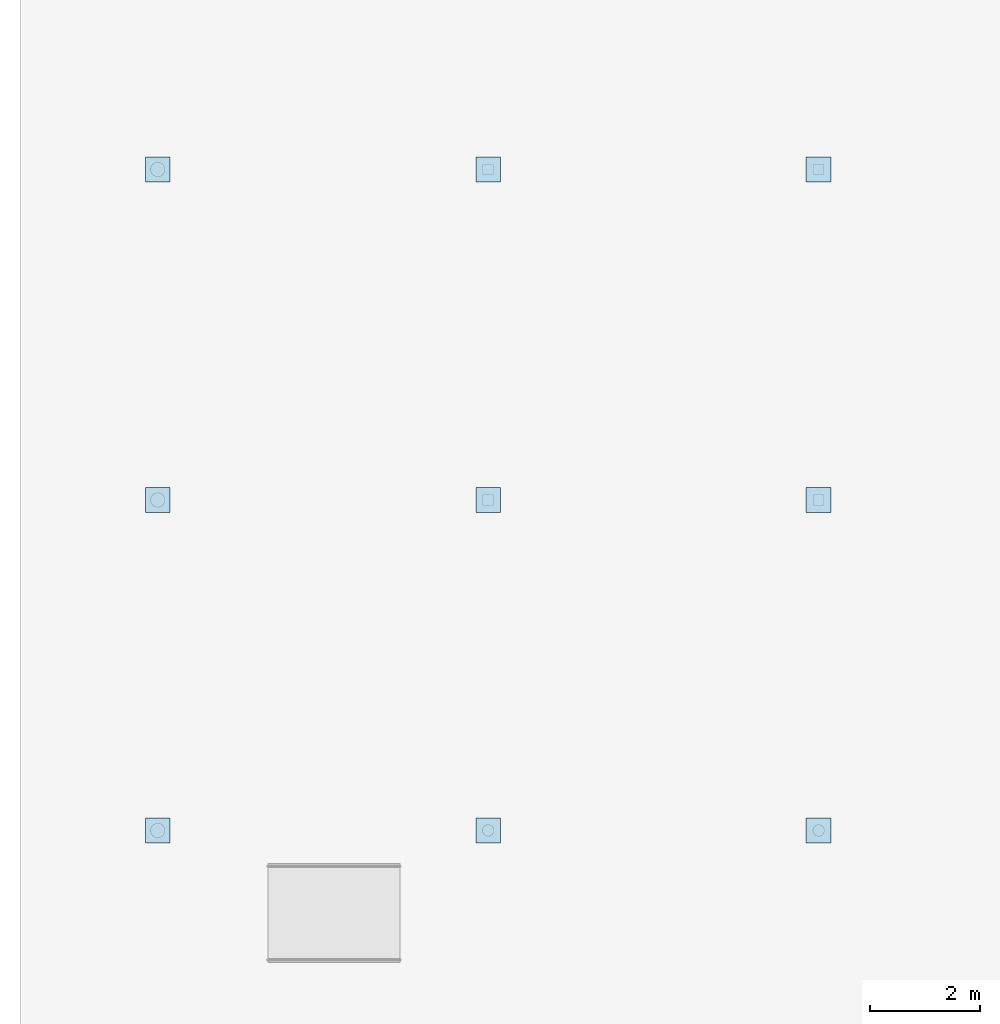
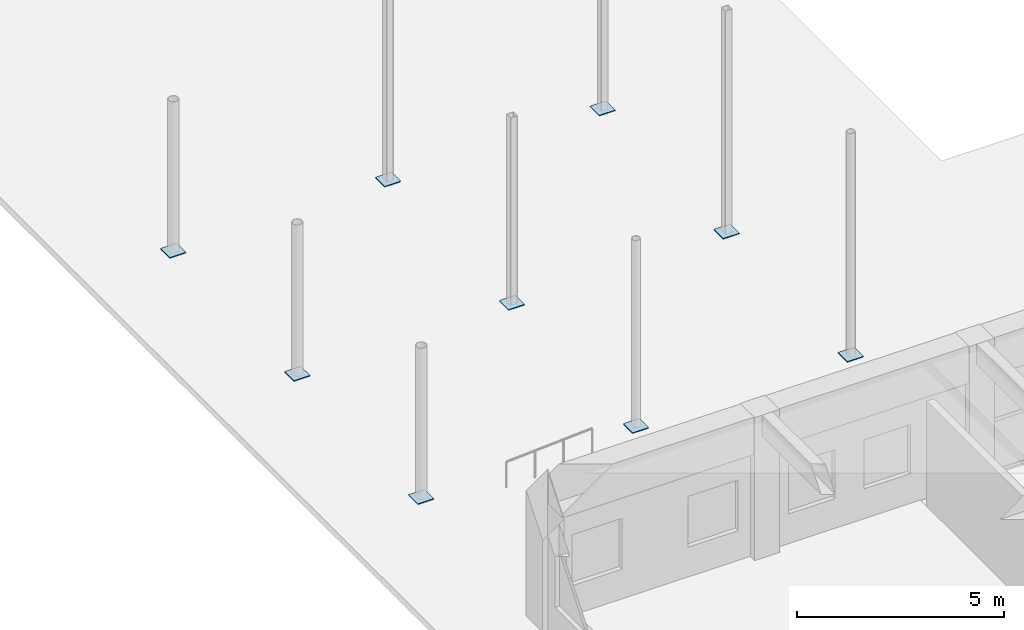
# One storey, part 45 of 76: 9 plates.
"""IFC4 building model written with IfcOpenShell, lengths in metres."""

from ifc_helpers import new_model, si_unit, direction, frame, origin, origin_2d, place, context, subcontext, project, spatial, rectangle, extrude, material, layer, layer_set, type_object, element, save


model = new_model("IFC4")

# Units and contexts
model_context = context("Model", 3, precision=1e-05, world=origin(), true_north=direction((0.0, 1.0)))
body_context = subcontext(model_context, "Body", "Model", "MODEL_VIEW")
ifc_project = project(units=[si_unit("LENGTHUNIT", "METRE"), si_unit("AREAUNIT", "SQUARE_METRE"), si_unit("VOLUMEUNIT", "CUBIC_METRE"), si_unit("PLANEANGLEUNIT", "RADIAN"), si_unit("MASSUNIT", "GRAM", prefix="KILO"), si_unit("POWERUNIT", "WATT"), si_unit("THERMODYNAMICTEMPERATUREUNIT", "KELVIN")], contexts=[model_context])

# Site, building, storey
site_placement = place(None, origin())
site = spatial("IfcSite", under=ifc_project, at=site_placement, CompositionType="ELEMENT")
building_placement = place(site_placement, origin())
building = spatial("IfcBuilding", under=site, at=building_placement, Name="Ruvembo Vaulted Housing Court", CompositionType="ELEMENT")
storey_placement = place(building_placement, origin())
storey = spatial("IfcBuildingStorey", under=building, at=storey_placement, Name="L00", CompositionType="ELEMENT", Elevation=0.0)

# Plates
ifc_material = material(Name="Steel S355J2", Category="steel")
ifc_layer = layer(ifc_material, 0.02392578125, Name="Steel S355J2")
ifc_layer_set = layer_set([ifc_layer], Name="Steel S355J2")
plate_type = type_object("IfcPlateType", Name="PL-BASE-24", PredefinedType="USERDEFINED", material=ifc_layer_set)
for number, where, z_axis, x_axis, name in (
    (1, (0.0, 48.0, 0.0), (0.0, 0.0, 1.0), (1.0, 0.0, 0.0), "Canopy Steel Column Base Plate CAN-W (0,48)"),
    (2, (0.0, 54.0, 0.0), (0.0, 0.0, 1.0), (1.0, 0.0, 0.0), "Canopy Steel Column Base Plate CAN-W (0,54)"),
    (3, (0.0, 60.0, 0.0), (0.0, 0.0, 1.0), (1.0, 0.0, 0.0), "Canopy Steel Column Base Plate CAN-W (0,60)"),
    (4, (6.0, 48.0, 0.0), (0.0, 0.0, 1.0), (1.0, 0.0, 0.0), "Canopy Steel Column Base Plate CAN-W (6,48)"),
    (5, (6.0, 54.0, 0.0), (0.0, 0.0, 1.0), (1.0, 0.0, 0.0), "Canopy Steel Column Base Plate CAN-W (6,54)"),
    (6, (6.0, 60.0, 0.0), (0.0, 0.0, 1.0), (1.0, 0.0, 0.0), "Canopy Steel Column Base Plate CAN-W (6,60)"),
    (7, (12.0, 48.0, 0.0), (0.0, 0.0, 1.0), (1.0, 0.0, 0.0), "Canopy Steel Column Base Plate CAN-W (12,48)"),
    (8, (12.0, 54.0, 0.0), (0.0, 0.0, 1.0), (1.0, 0.0, 0.0), "Canopy Steel Column Base Plate CAN-W (12,54)"),
    (9, (12.0, 60.0, 0.0), (0.0, 0.0, 1.0), (1.0, 0.0, 0.0), "Canopy Steel Column Base Plate CAN-W (12,60)"),
):
    element("IfcPlate", number, at=place(storey_placement, frame(where, z_axis=z_axis, x_axis=x_axis)), inside=storey, type_object=plate_type, Name=name, ObjectType="BASE_PLATE", PredefinedType="USERDEFINED", context=body_context, shape_type="SweptSolid", body=[
        extrude(rectangle(XDim=0.449951171875, YDim=0.449951171875, at=origin_2d()), origin(), (0.0, 0.0, 1.0), 0.02392578125),
    ])

save(model, "model.ifc")
